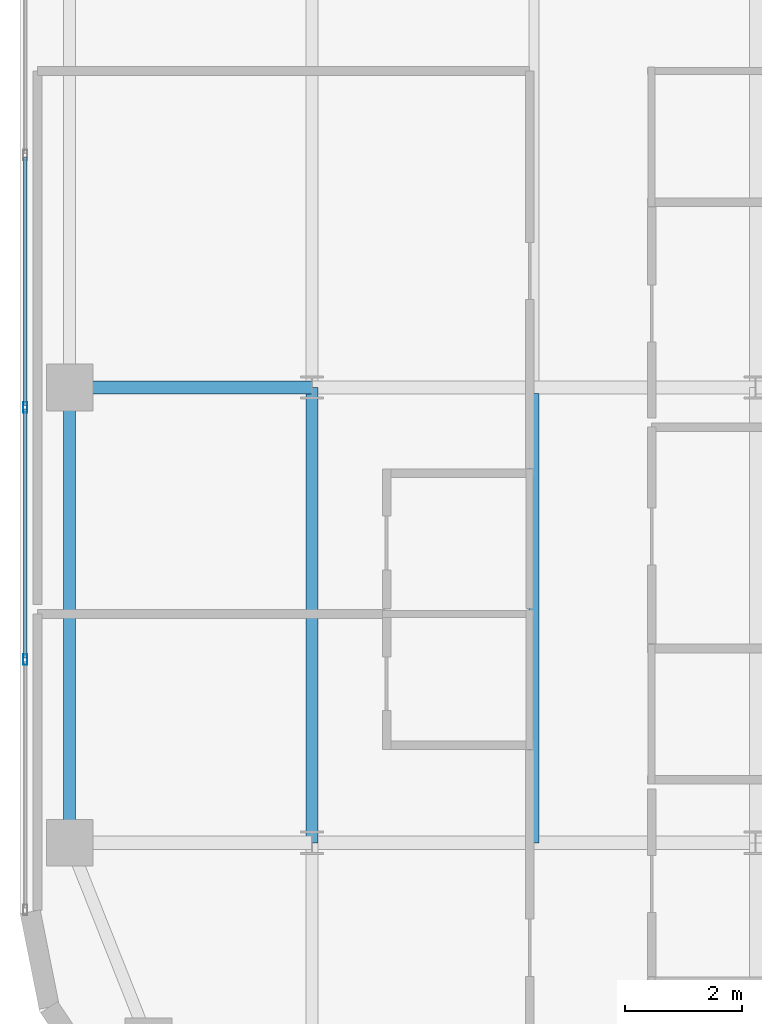
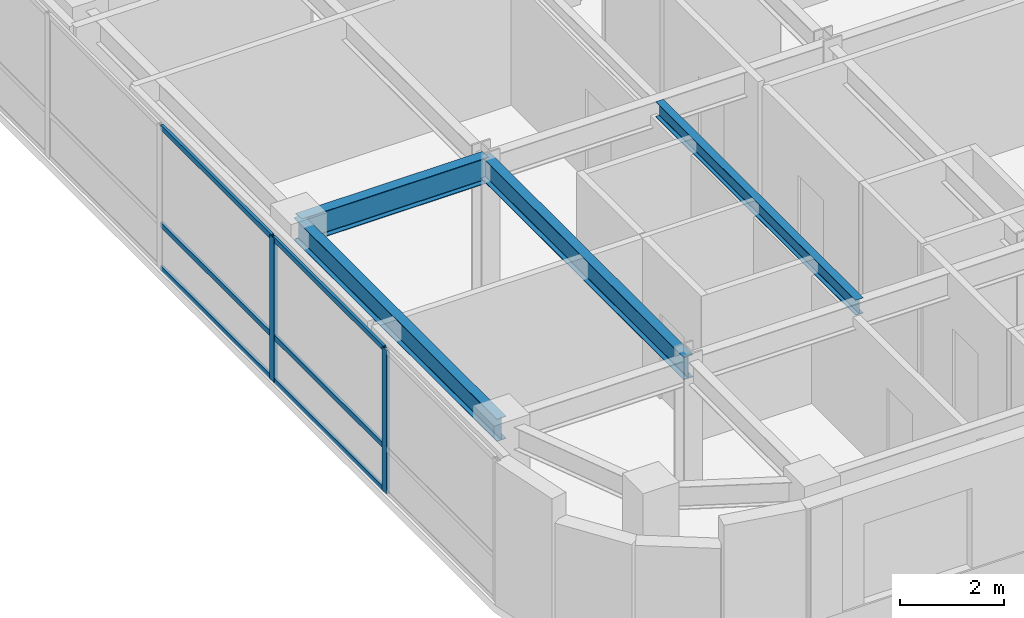
# One storey, part 5 of 28: 8 members, 4 beams, 1 element without a shape of its own.
"""IFC4 building model written with IfcOpenShell, lengths in metres."""

import ifcopenshell
import ifcopenshell.guid

model = None  # the IFC model being written
_history = None  # IfcOwnerHistory: only IFC2X3 demands one
_inside = {}  # id of a spatial element -> (the spatial element, [elements in it])
_under = {}  # id of a project, library or spatial element -> (it, [spatial elements below it])
_declared = {}  # id of a project -> (the project, [libraries it declares])
_typed = {}  # id of a type object -> (the type object, [elements of that type])
_made_of = {}  # id of a material, layer set ... -> (it, [elements and type objects made of it])


def new_model(schema):
    """Start an empty IFC model of exactly this schema.

    Asked for "IFC4X3", IfcOpenShell would pick the latest addendum, in which some entities
    have other attributes; the version numbers below select the first issue.
    IFC2X3 requires an IfcOwnerHistory on every rooted entity: one is made here for all.
    """
    global model, _history
    if schema == "IFC4X3":
        model = ifcopenshell.file(schema_version=(4, 3, 0, 0))
    else:
        model = ifcopenshell.file(schema=schema)
    _inside.clear()
    _under.clear()
    _declared.clear()
    _typed.clear()
    _made_of.clear()
    _history = None
    if model.schema == "IFC2X3":
        org = make("IfcOrganization", Name="unknown")
        user = make(
            "IfcPersonAndOrganization",
            ThePerson=make("IfcPerson", FamilyName="unknown"),
            TheOrganization=org,
        )
        app = make(
            "IfcApplication",
            ApplicationDeveloper=org,
            Version="unknown",
            ApplicationFullName="unknown",
            ApplicationIdentifier="unknown",
        )
        _history = make(
            "IfcOwnerHistory",
            OwningUser=user,
            OwningApplication=app,
            ChangeAction="ADDED",
            CreationDate=0,
        )
    return model


def make(cls, **values):
    """One entity of the class cls with the attributes given. An attribute that is None is left unset."""
    return model.create_entity(
        cls, **{name: value for name, value in values.items() if value is not None}
    )


def rooted(cls, **values):
    """An entity with a GlobalId (a new one), such as an element, a storey or a relation."""
    return make(cls, GlobalId=ifcopenshell.guid.new(), OwnerHistory=_history, **values)


def si_unit(unit_type, name, prefix=None):
    """IfcSIUnit, for example si_unit("LENGTHUNIT", "METRE", prefix="MILLI")."""
    return make("IfcSIUnit", UnitType=unit_type, Prefix=prefix, Name=name)


def assignment(units):
    """IfcUnitAssignment: the units of a project."""
    return None if units is None else make("IfcUnitAssignment", Units=units)


def point(xyz):
    """IfcCartesianPoint."""
    return None if xyz is None else make("IfcCartesianPoint", Coordinates=xyz)


def direction(xyz):
    """IfcDirection."""
    return None if xyz is None else make("IfcDirection", DirectionRatios=xyz)


def frame(location, z_axis=None, x_axis=None):
    """IfcAxis2Placement3D, a coordinate frame: its origin and axes. An axis left out is left unset."""
    return make(
        "IfcAxis2Placement3D",
        Location=point(location),
        Axis=direction(z_axis),
        RefDirection=direction(x_axis),
    )


def frame_2d(location, x_axis=None):
    """IfcAxis2Placement2D, a coordinate frame in the plane: its origin and x axis."""
    return make(
        "IfcAxis2Placement2D", Location=point(location), RefDirection=direction(x_axis)
    )


def origin():
    """The frame at (0, 0, 0) with its axes left unset."""
    return frame((0.0, 0.0, 0.0))


def origin_2d():
    """The frame at (0, 0) in the plane with its x axis left unset."""
    return frame_2d((0.0, 0.0))


def place(relative_to, where):
    """IfcLocalPlacement: puts the frame where relative to a parent placement (None: the world)."""
    return make(
        "IfcLocalPlacement", PlacementRelTo=relative_to, RelativePlacement=where
    )


def context(
    kind, dimensions, precision=None, world=None, true_north=None, identifier=None
):
    """IfcGeometricRepresentationContext, for example the 3D "Model" context."""
    return make(
        "IfcGeometricRepresentationContext",
        ContextIdentifier=identifier,
        ContextType=kind,
        CoordinateSpaceDimension=dimensions,
        Precision=precision,
        WorldCoordinateSystem=world,
        TrueNorth=true_north,
    )


def subcontext(parent, identifier, kind, view, scale=None):
    """IfcGeometricRepresentationSubContext, for example "Body" below "Model"."""
    return make(
        "IfcGeometricRepresentationSubContext",
        ContextIdentifier=identifier,
        ContextType=kind,
        ParentContext=parent,
        TargetScale=scale,
        TargetView=view,
    )


def project(units=None, contexts=None):
    """IfcProject with its units and contexts."""
    return rooted(
        "IfcProject",
        Name="project",
        RepresentationContexts=contexts,
        UnitsInContext=assignment(units),
    )


def spatial(cls, under=None, at=None, **own):
    """A site, building, storey or space (cls), placed at a placement, below another one or the project."""
    s = rooted(cls, ObjectPlacement=at, **own)
    if under is not None:
        _under.setdefault(under.id(), (under, []))[1].append(s)
    return s


def profile(cls, at=None, kind="AREA", **sizes):
    """A parametric profile (cls). Its sizes go by their IFC names, for example OverallWidth=200.0."""
    return make(cls, ProfileType=kind, Position=at, **sizes)


def hollow_rectangle(**sizes):
    """IfcRectangleHollowProfileDef."""
    return profile("IfcRectangleHollowProfileDef", **sizes)


def i_section(**sizes):
    """IfcIShapeProfileDef."""
    return profile("IfcIShapeProfileDef", **sizes)


def extrude(swept, where, along, depth):
    """IfcExtrudedAreaSolid: the profile swept, set in the frame where, extruded along a direction by depth."""
    return make(
        "IfcExtrudedAreaSolid",
        SweptArea=swept,
        Position=where,
        ExtrudedDirection=direction(along),
        Depth=depth,
    )


def shape(context_of_items, identifier, shape_type, items):
    """IfcShapeRepresentation: the items that make up one representation, for example the "Body"."""
    return make(
        "IfcShapeRepresentation",
        ContextOfItems=context_of_items,
        RepresentationIdentifier=identifier,
        RepresentationType=shape_type,
        Items=items,
    )


def source(mapping_origin, context_of_items, identifier, shape_type, items):
    """IfcRepresentationMap: a shape defined once, which mapped items show again and again."""
    return make(
        "IfcRepresentationMap",
        MappingOrigin=mapping_origin,
        MappedRepresentation=shape(context_of_items, identifier, shape_type, items),
    )


def transform(
    local_origin,
    x_axis=None,
    y_axis=None,
    z_axis=None,
    scale=None,
    scale2=None,
    scale3=None,
    uniform=True,
):
    """IfcCartesianTransformationOperator3D, or its non-uniform kind. x_axis, y_axis, z_axis: its Axis1, 2, 3."""
    if uniform:
        return make(
            "IfcCartesianTransformationOperator3D",
            Axis1=direction(x_axis),
            Axis2=direction(y_axis),
            LocalOrigin=point(local_origin),
            Scale=scale,
            Axis3=direction(z_axis),
        )
    return make(
        "IfcCartesianTransformationOperator3DnonUniform",
        Axis1=direction(x_axis),
        Axis2=direction(y_axis),
        LocalOrigin=point(local_origin),
        Scale=scale,
        Axis3=direction(z_axis),
        Scale2=scale2,
        Scale3=scale3,
    )


def mapped(mapping_source, mapping_target):
    """IfcMappedItem: shows the shape of a source again, moved by a transform."""
    return make(
        "IfcMappedItem", MappingSource=mapping_source, MappingTarget=mapping_target
    )


def material(Name=None, Category=None):
    """IfcMaterial."""
    return make("IfcMaterial", Name=Name, Category=Category)


def layer(
    of_material, thickness, ventilated=None, Name=None, Category=None, Priority=None
):
    """IfcMaterialLayer: one layer of a wall or slab, of a material (None: an air gap)."""
    return make(
        "IfcMaterialLayer",
        Material=of_material,
        LayerThickness=thickness,
        IsVentilated=ventilated,
        Name=Name,
        Category=Category,
        Priority=Priority,
    )


def layer_set(layers, Name=None):
    """IfcMaterialLayerSet."""
    return make("IfcMaterialLayerSet", MaterialLayers=layers, LayerSetName=Name)


def material_profile(
    of_material, cross_section, Name=None, Category=None, Priority=None
):
    """IfcMaterialProfile: a cross section and its material."""
    return make(
        "IfcMaterialProfile",
        Name=Name,
        Material=of_material,
        Profile=cross_section,
        Priority=Priority,
        Category=Category,
    )


def profile_set(profiles, Name=None, composite=None):
    """IfcMaterialProfileSet."""
    return make(
        "IfcMaterialProfileSet",
        Name=Name,
        MaterialProfiles=profiles,
        CompositeProfile=composite,
    )


def made_of(thing, what):
    """Note that an element or type object is made of a material, layer set ...; save() writes the relation."""
    if what is not None:
        _made_of.setdefault(what.id(), (what, []))[1].append(thing)
    return thing


def type_object(cls, material=None, **own):
    """A type object (cls), such as IfcWallType, which elements share."""
    return made_of(rooted(cls, **own), material)


def type_shapes(of_type, sources):
    """Give a type object the sources (RepresentationMaps) that its elements show as mapped items."""
    of_type.RepresentationMaps = sources


def element(
    cls,
    number,
    at=None,
    inside=None,
    cuts=None,
    type_object=None,
    material=None,
    context=None,
    identifier="Body",
    shape_type=None,
    held_by="IfcProductDefinitionShape",
    body=None,
    shapes=None,
    **own,
):
    """One element of the class cls, such as IfcWall. Its Tag is "e" and its number.

    at: its placement. inside: the storey or other place that contains it. cuts: it is an
    opening in that element (IfcRelVoidsElement). A single representation is given by context,
    identifier, shape_type and body (its items); several are given by shapes. held_by: the class
    of the entity that holds the representations. save() writes the other relations.
    """
    e = rooted(cls, Tag="e%d" % number, ObjectPlacement=at, **own)
    if body is not None:
        shapes = [shape(context, identifier, shape_type, body)]
    if shapes is not None:
        e.Representation = make(held_by, Representations=shapes)
    if inside is not None:
        _inside.setdefault(inside.id(), (inside, []))[1].append(e)
    if cuts is not None:
        rooted(
            "IfcRelVoidsElement", RelatingBuildingElement=cuts, RelatedOpeningElement=e
        )
    if type_object is not None:
        _typed.setdefault(type_object.id(), (type_object, []))[1].append(e)
    return made_of(e, material)


def aggregate(whole, parts):
    """IfcRelAggregates: a whole, such as a stair, and the parts it consists of."""
    return rooted("IfcRelAggregates", RelatingObject=whole, RelatedObjects=parts)


def save(model, path):
    """Write the relations noted so far, then the file.

    IfcRelAggregates (storeys below a building ...), IfcRelContainedInSpatialStructure (elements
    in a storey), IfcRelDefinesByType, IfcRelAssociatesMaterial and IfcRelDeclares: one each for
    every whole, place, type object, material and project.
    """
    for whole, parts in _under.values():
        aggregate(whole, parts)
    for where, things in _inside.values():
        rooted(
            "IfcRelContainedInSpatialStructure",
            RelatedElements=things,
            RelatingStructure=where,
        )
    for kind, things in _typed.values():
        rooted("IfcRelDefinesByType", RelatedObjects=things, RelatingType=kind)
    for what, things in _made_of.values():
        rooted("IfcRelAssociatesMaterial", RelatedObjects=things, RelatingMaterial=what)
    for by, libraries in _declared.values():
        rooted("IfcRelDeclares", RelatingContext=by, RelatedDefinitions=libraries)
    model.write(path)


model = new_model("IFC4")

# Units and contexts
model_context = context("Model", 3, precision=1e-05, world=origin(), true_north=direction((0.0, 1.0)))
body_context = subcontext(model_context, "Body", "Model", "MODEL_VIEW")
ifc_project = project(units=[si_unit("LENGTHUNIT", "METRE"), si_unit("AREAUNIT", "SQUARE_METRE"), si_unit("VOLUMEUNIT", "CUBIC_METRE"), si_unit("PLANEANGLEUNIT", "RADIAN"), si_unit("MASSUNIT", "GRAM", prefix="KILO")], contexts=[model_context])

# Site, building, storey
site_placement = place(None, origin())
site = spatial("IfcSite", under=ifc_project, at=site_placement, CompositionType="ELEMENT")
building_placement = place(site_placement, origin())
building = spatial("IfcBuilding", under=site, at=building_placement, Name="Tolvann Quenvar Hotel", CompositionType="ELEMENT")
storey_placement = place(building_placement, frame((0.0, 0.0, 198.199951171875)))
storey = spatial("IfcBuildingStorey", under=building, at=storey_placement, Name="L52", CompositionType="ELEMENT", Elevation=198.199951171875)

# Beams
ifc_material_1 = material(Name="Steel Grade 350", Category="steel")
ifc_material_profile_1 = material_profile(ifc_material_1, i_section(OverallWidth=0.208984375, OverallDepth=0.528076171875, WebThickness=0.009521484375, FlangeThickness=0.01318359375, FilletRadius=0.013916015625, at=origin_2d()), Name="530UB82")
ifc_profile_set_1 = profile_set([ifc_material_profile_1], Name="Steel Grade 350")
beam_type_1 = type_object("IfcBeamType", Name="BM_SPAND_530UB82", PredefinedType="SPANDREL", material=ifc_profile_set_1)
shared_shape_1 = source(origin(), body_context, "Body", "SweptSolid", [
    extrude(i_section(OverallWidth=0.208984375, OverallDepth=0.528076171875, WebThickness=0.009521484375, FlangeThickness=0.01318359375, FilletRadius=0.013916015625, at=origin_2d()), origin(), (0.0, 0.0, 1.0), 7.800048828125),
])
type_shapes(beam_type_1, [shared_shape_1])
beam_1_placement = place(storey_placement, frame((3.449951171875, 8.199951171875, 3.10595703125), z_axis=(0.0, 1.0, 0.0), x_axis=(-1.0, 0.0, 0.0)))
element("IfcBeam", 1, at=beam_1_placement, inside=storey, type_object=beam_type_1, Name="BM-L52-NS-B3-B4", PredefinedType="SPANDREL", context=body_context, shape_type="MappedRepresentation", body=[
    mapped(shared_shape_1, transform((0.0, 0.0, 0.0), x_axis=(1.0, 0.0, 0.0), y_axis=(0.0, 1.0, 0.0), z_axis=(0.0, 0.0, 1.0), scale=1.0)),
])
ifc_material_profile_2 = material_profile(ifc_material_1, i_section(OverallWidth=0.208984375, OverallDepth=0.532958984375, WebThickness=0.01025390625, FlangeThickness=0.015625, FilletRadius=0.013916015625, at=origin_2d()), Name="530UB92")
ifc_profile_set_2 = profile_set([ifc_material_profile_2], Name="Steel Grade 350")
beam_type_2 = type_object("IfcBeamType", Name="BM_GIRD_530UB92", PredefinedType="BEAM", material=ifc_profile_set_2)
shared_shape_2 = source(origin(), body_context, "Body", "SweptSolid", [
    extrude(i_section(OverallWidth=0.208984375, OverallDepth=0.532958984375, WebThickness=0.01025390625, FlangeThickness=0.015625, FilletRadius=0.013916015625, at=origin_2d()), origin(), (0.0, 0.0, 1.0), 7.800048828125),
])
type_shapes(beam_type_2, [shared_shape_2])
beam_2_placement = place(storey_placement, frame((7.60009765625, 8.199951171875, 3.103515625), z_axis=(0.0, 1.0, 0.0), x_axis=(-1.0, 0.0, 0.0)))
element("IfcBeam", 2, at=beam_2_placement, inside=storey, type_object=beam_type_2, Name="BM-L52-NS-C3-C4", PredefinedType="BEAM", context=body_context, shape_type="MappedRepresentation", body=[
    mapped(shared_shape_2, transform((0.0, 0.0, 0.0), x_axis=(1.0, 0.0, 0.0), y_axis=(0.0, 1.0, 0.0), z_axis=(0.0, 0.0, 1.0), scale=1.0)),
])
ifc_material_profile_3 = material_profile(ifc_material_1, i_section(OverallWidth=0.22802734375, OverallDepth=0.60205078125, WebThickness=0.010498046875, FlangeThickness=0.014892578125, FilletRadius=0.013916015625, at=origin_2d()), Name="610UB101")
ifc_profile_set_3 = profile_set([ifc_material_profile_3], Name="Steel Grade 350")
beam_type_3 = type_object("IfcBeamType", Name="BM_GIRD_610UB101", PredefinedType="BEAM", material=ifc_profile_set_3)
shared_shape_3 = source(origin(), body_context, "Body", "SweptSolid", [
    extrude(i_section(OverallWidth=0.22802734375, OverallDepth=0.60205078125, WebThickness=0.010498046875, FlangeThickness=0.014892578125, FilletRadius=0.013916015625, at=origin_2d()), origin(), (0.0, 0.0, 1.0), 4.150146484375),
])
type_shapes(beam_type_3, [shared_shape_3])
beam_3_placement = place(storey_placement, frame((3.449951171875, 16.0, 3.069091796875), z_axis=(1.0, 0.0, 0.0), x_axis=(0.0, 1.0, 0.0)))
element("IfcBeam", 3, at=beam_3_placement, inside=storey, type_object=beam_type_3, Name="BM-L52-EW-4-B4-C4", PredefinedType="BEAM", context=body_context, shape_type="MappedRepresentation", body=[
    mapped(shared_shape_3, transform((0.0, 0.0, 0.0), x_axis=(1.0, 0.0, 0.0), y_axis=(0.0, 1.0, 0.0), z_axis=(0.0, 0.0, 1.0), scale=1.0)),
])
ifc_material_profile_4 = material_profile(ifc_material_1, i_section(OverallWidth=0.172119140625, OverallDepth=0.35888671875, WebThickness=0.008056640625, FlangeThickness=0.012939453125, FilletRadius=0.011474609375, at=origin_2d()), Name="360UB57")
ifc_profile_set_4 = profile_set([ifc_material_profile_4], Name="Steel Grade 350")
beam_type_4 = type_object("IfcBeamType", Name="BM_JOIST_360UB57", PredefinedType="JOIST", material=ifc_profile_set_4)
shared_shape_4 = source(origin(), body_context, "Body", "SweptSolid", [
    extrude(i_section(OverallWidth=0.172119140625, OverallDepth=0.35888671875, WebThickness=0.008056640625, FlangeThickness=0.012939453125, FilletRadius=0.011474609375, at=origin_2d()), origin(), (0.0, 0.0, 1.0), 7.692138671875),
])
type_shapes(beam_type_4, [shared_shape_4])
beam_4_placement = place(storey_placement, frame((11.39990234375, 8.199951171875, 3.1904296875), z_axis=(0.0, 1.0, 0.0), x_axis=(-1.0, 0.0, 0.0)))
element("IfcBeam", 4, at=beam_4_placement, inside=storey, type_object=beam_type_4, Name="BJ-L52-114-82", PredefinedType="JOIST", context=body_context, shape_type="MappedRepresentation", body=[
    mapped(shared_shape_4, transform((0.0, 0.0, 0.0), x_axis=(1.0, 0.0, 0.0), y_axis=(0.0, 1.0, 0.0), z_axis=(0.0, 0.0, 1.0), scale=1.0)),
])

# Curtain wall, members
ifc_material_2 = material(Name="Thermally broken anodised architectural aluminium 6063-T6 and laminated low-E glass", Category="aluminium")
ifc_layer = layer(ifc_material_2, 0.179931640625)
ifc_layer_set = layer_set([ifc_layer], Name="Thermally broken anodised architectural aluminium 6063-T6 and laminated low-E glass")
curtain_wall_type = type_object("IfcCurtainWallType", Name="CW_SYS_BAND_04", PredefinedType="USERDEFINED", material=ifc_layer_set)
curtain_wall_placement = place(storey_placement, origin())
curtain_wall = element("IfcCurtainWall", 5, at=curtain_wall_placement, inside=storey, type_object=curtain_wall_type, Name="Curtain Wall CW-BAND-04 (CWR-L52-E23)", ObjectType="UNITISED CURTAIN WALL", PredefinedType="USERDEFINED")
ifc_material_3 = material(Name="Anodised architectural aluminium 6063-T6 framing", Category="aluminium")
ifc_material_profile_5 = material_profile(ifc_material_3, hollow_rectangle(XDim=0.070068359375, YDim=0.179931640625, WallThickness=0.00390625, at=origin_2d()), Name="180x70x4RHS")
ifc_profile_set_5 = profile_set([ifc_material_profile_5], Name="Anodised architectural aluminium 6063-T6 framing")
member_type_1 = type_object("IfcMemberType", Name="CW_MULL_180x70", PredefinedType="MULLION", material=ifc_profile_set_5)
shared_shape_5 = source(origin(), body_context, "Body", "SweptSolid", [
    extrude(hollow_rectangle(XDim=0.070068359375, YDim=0.179931640625, WallThickness=0.00390625, at=origin_2d()), origin(), (0.0, 0.0, 1.0), 3.3701171875),
])
type_shapes(member_type_1, [shared_shape_5])
member_1_placement = place(storey_placement, frame((2.68994140625, 15.65869140625, 0.0), z_axis=(0.0, 0.0, 1.0), x_axis=(1.0, 0.0, 0.0)))
member_1 = element("IfcMember", 6, at=member_1_placement, type_object=member_type_1, Name="CW-BAND-04 mullion 7", PredefinedType="MULLION", context=body_context, shape_type="MappedRepresentation", body=[
    mapped(shared_shape_5, transform((0.0, 0.0, 0.0), x_axis=(1.0, 0.0, 0.0), y_axis=(0.0, 1.0, 0.0), z_axis=(0.0, 0.0, 1.0), scale=1.0)),
])
member_2_placement = place(storey_placement, frame((2.68994140625, 11.337890625, 0.0), z_axis=(0.0, 0.0, 1.0), x_axis=(1.0, 0.0, 0.0)))
member_2 = element("IfcMember", 7, at=member_2_placement, type_object=member_type_1, Name="CW-BAND-04 mullion 8", PredefinedType="MULLION", context=body_context, shape_type="MappedRepresentation", body=[
    mapped(shared_shape_5, transform((0.0, 0.0, 0.0), x_axis=(1.0, 0.0, 0.0), y_axis=(0.0, 1.0, 0.0), z_axis=(0.0, 0.0, 1.0), scale=1.0)),
])
ifc_material_profile_6 = material_profile(ifc_material_3, hollow_rectangle(XDim=0.06005859375, YDim=0.1201171875, WallThickness=0.00341796875, at=origin_2d()), Name="120x60x3.5RHS")
ifc_profile_set_6 = profile_set([ifc_material_profile_6], Name="Anodised architectural aluminium 6063-T6 framing")
member_type_2 = type_object("IfcMemberType", Name="CW_TRAN_120x60", PredefinedType="USERDEFINED", material=ifc_profile_set_6)
shared_shape_6 = source(origin(), body_context, "Body", "SweptSolid", [
    extrude(hollow_rectangle(XDim=0.06005859375, YDim=0.1201171875, WallThickness=0.00341796875, at=origin_2d()), origin(), (0.0, 0.0, 1.0), 4.250732421875),
])
type_shapes(member_type_2, [shared_shape_6])
member_3_placement = place(storey_placement, frame((2.68994140625, 19.9443359375, 0.030029296875), z_axis=(0.0, -1.0, 0.0), x_axis=(1.0, 0.0, 0.0)))
member_3 = element("IfcMember", 8, at=member_3_placement, type_object=member_type_2, Name="CW-BAND-04 transom 6.1", ObjectType="TRANSOM", PredefinedType="USERDEFINED", context=body_context, shape_type="MappedRepresentation", body=[
    mapped(shared_shape_6, transform((0.0, 0.0, 0.0), x_axis=(1.0, 0.0, 0.0), y_axis=(0.0, 1.0, 0.0), z_axis=(0.0, 0.0, 1.0), scale=1.0)),
])
member_4_placement = place(storey_placement, frame((2.68994140625, 19.9443359375, 1.050048828125), z_axis=(0.0, -1.0, 0.0), x_axis=(1.0, 0.0, 0.0)))
member_4 = element("IfcMember", 9, at=member_4_placement, type_object=member_type_2, Name="CW-BAND-04 transom 6.2", ObjectType="TRANSOM", PredefinedType="USERDEFINED", context=body_context, shape_type="MappedRepresentation", body=[
    mapped(shared_shape_6, transform((0.0, 0.0, 0.0), x_axis=(1.0, 0.0, 0.0), y_axis=(0.0, 1.0, 0.0), z_axis=(0.0, 0.0, 1.0), scale=1.0)),
])
member_5_placement = place(storey_placement, frame((2.68994140625, 19.9443359375, 3.340087890625), z_axis=(0.0, -1.0, 0.0), x_axis=(1.0, 0.0, 0.0)))
member_5 = element("IfcMember", 10, at=member_5_placement, type_object=member_type_2, Name="CW-BAND-04 transom 6.3", ObjectType="TRANSOM", PredefinedType="USERDEFINED", context=body_context, shape_type="MappedRepresentation", body=[
    mapped(shared_shape_6, transform((0.0, 0.0, 0.0), x_axis=(1.0, 0.0, 0.0), y_axis=(0.0, 1.0, 0.0), z_axis=(0.0, 0.0, 1.0), scale=1.0)),
])
member_6_placement = place(storey_placement, frame((2.68994140625, 15.62353515625, 0.030029296875), z_axis=(0.0, -1.0, 0.0), x_axis=(1.0, 0.0, 0.0)))
member_6 = element("IfcMember", 11, at=member_6_placement, type_object=member_type_2, Name="CW-BAND-04 transom 7.1", ObjectType="TRANSOM", PredefinedType="USERDEFINED", context=body_context, shape_type="MappedRepresentation", body=[
    mapped(shared_shape_6, transform((0.0, 0.0, 0.0), x_axis=(1.0, 0.0, 0.0), y_axis=(0.0, 1.0, 0.0), z_axis=(0.0, 0.0, 1.0), scale=1.0)),
])
member_7_placement = place(storey_placement, frame((2.68994140625, 15.62353515625, 1.050048828125), z_axis=(0.0, -1.0, 0.0), x_axis=(1.0, 0.0, 0.0)))
member_7 = element("IfcMember", 12, at=member_7_placement, type_object=member_type_2, Name="CW-BAND-04 transom 7.2", ObjectType="TRANSOM", PredefinedType="USERDEFINED", context=body_context, shape_type="MappedRepresentation", body=[
    mapped(shared_shape_6, transform((0.0, 0.0, 0.0), x_axis=(1.0, 0.0, 0.0), y_axis=(0.0, 1.0, 0.0), z_axis=(0.0, 0.0, 1.0), scale=1.0)),
])
member_8_placement = place(storey_placement, frame((2.68994140625, 15.62353515625, 3.340087890625), z_axis=(0.0, -1.0, 0.0), x_axis=(1.0, 0.0, 0.0)))
member_8 = element("IfcMember", 13, at=member_8_placement, type_object=member_type_2, Name="CW-BAND-04 transom 7.3", ObjectType="TRANSOM", PredefinedType="USERDEFINED", context=body_context, shape_type="MappedRepresentation", body=[
    mapped(shared_shape_6, transform((0.0, 0.0, 0.0), x_axis=(1.0, 0.0, 0.0), y_axis=(0.0, 1.0, 0.0), z_axis=(0.0, 0.0, 1.0), scale=1.0)),
])
aggregate(curtain_wall, [member_1, member_2, member_3, member_4, member_5, member_6, member_7, member_8])

save(model, "model.ifc")
